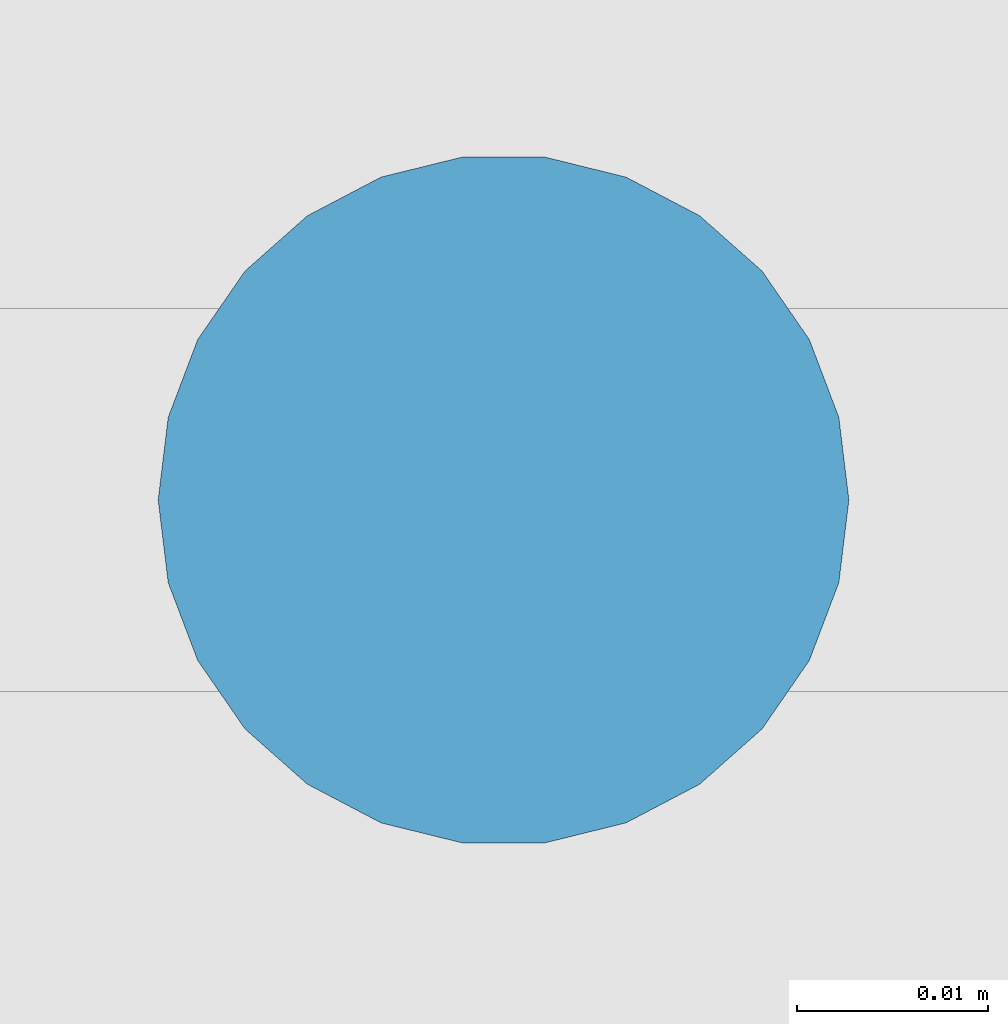
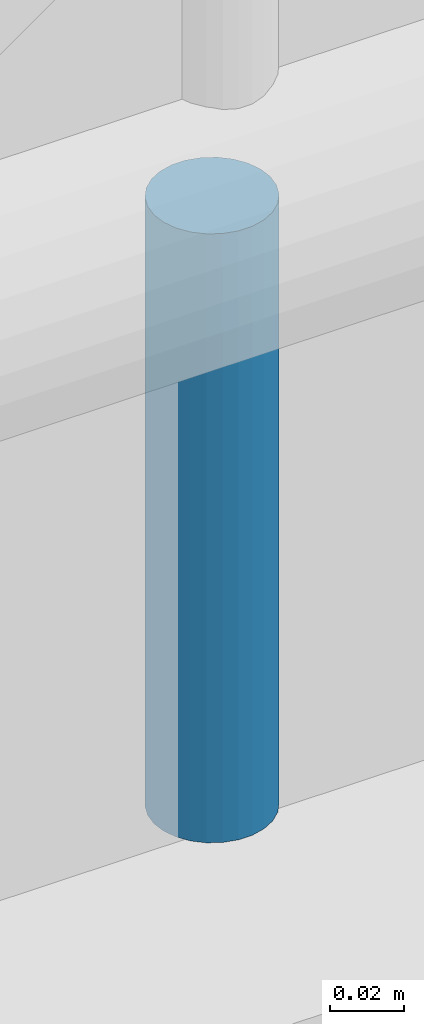
# One storey, part 243 of 321: 1 member.
"""IFC4 building model written with IfcOpenShell, lengths in metres."""

from ifc_helpers import new_model, si_unit, direction, frame, origin, origin_2d, place, context, subcontext, project, spatial, circle, extrude, material, material_profile, profile_set, type_object, element, save


model = new_model("IFC4")

# Units and contexts
model_context = context("Model", 3, precision=1e-05, world=origin(), true_north=direction((0.0, 1.0)))
body_context = subcontext(model_context, "Body", "Model", "MODEL_VIEW")
ifc_project = project(units=[si_unit("LENGTHUNIT", "METRE"), si_unit("AREAUNIT", "SQUARE_METRE"), si_unit("VOLUMEUNIT", "CUBIC_METRE"), si_unit("PLANEANGLEUNIT", "RADIAN"), si_unit("MASSUNIT", "GRAM", prefix="KILO")], contexts=[model_context])

# Site, building, storey
site_placement = place(None, origin())
site = spatial("IfcSite", under=ifc_project, at=site_placement, CompositionType="ELEMENT")
building_placement = place(site_placement, origin())
building = spatial("IfcBuilding", under=site, at=building_placement, Name="Ravi Spectrum Wholesale Market", CompositionType="ELEMENT")
storey_placement = place(building_placement, frame((0.0, 0.0, 10.800048828125)))
storey = spatial("IfcBuildingStorey", under=building, at=storey_placement, Name="L02", CompositionType="ELEMENT", Elevation=10.800048828125)

# Member
ifc_material = material(Name="Steel S355", Category="steel")
ifc_material_profile = material_profile(ifc_material, circle(Radius=0.01806640625, at=origin_2d()))
ifc_profile_set = profile_set([ifc_material_profile], Name="Steel S355")
member_type = type_object("IfcMemberType", Name="ROD 36 hanger", PredefinedType="STRUT", material=ifc_profile_set)
member_placement = place(storey_placement, frame((83.18310546875, 198.0, 0.0), z_axis=(0.0, 0.0, -1.0), x_axis=(1.0, 0.0, 0.0)))
element("IfcMember", 1, at=member_placement, inside=storey, type_object=member_type, Name="H1-MB-L02-1736", PredefinedType="STRUT", context=body_context, shape_type="SweptSolid", body=[
    extrude(circle(Radius=0.01806640625, at=origin_2d()), origin(), (0.0, 0.0, 1.0), 0.199951171875),
])

save(model, "model.ifc")
